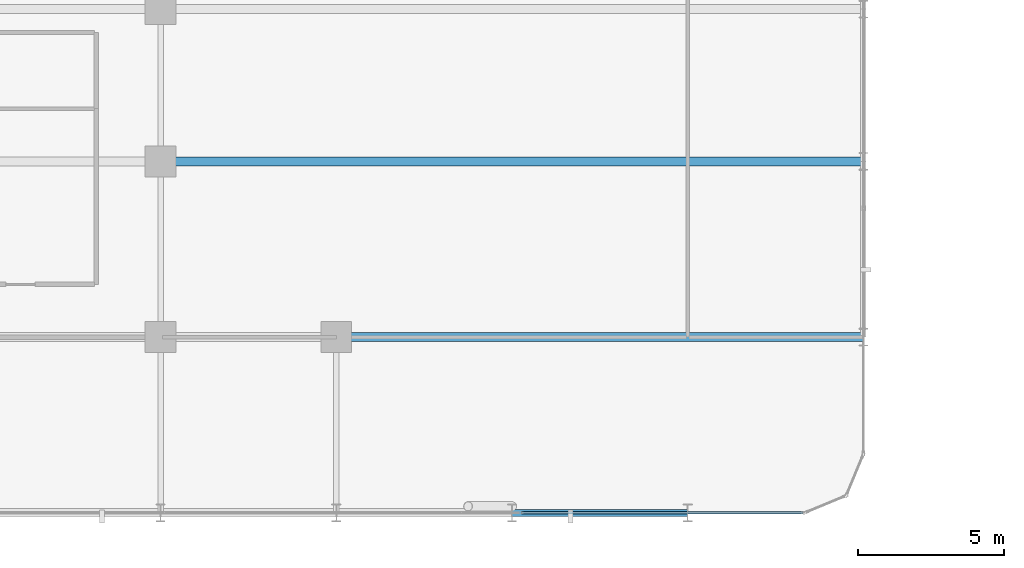
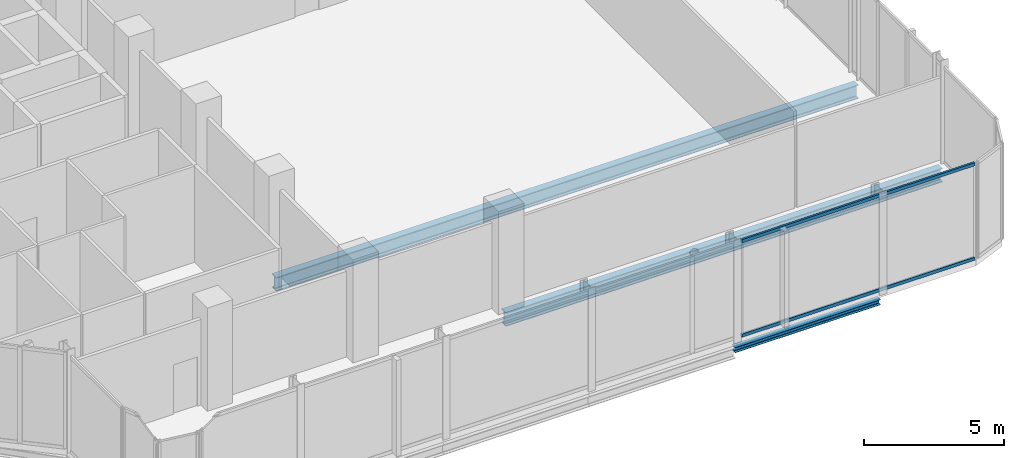
# One storey, part 9 of 31: 3 beams, 2 members, 1 element without a shape of its own.
"""IFC4 building model written with IfcOpenShell, lengths in metres."""

from ifc_helpers import new_model, si_unit, direction, frame, origin, origin_2d, place, context, subcontext, project, spatial, hollow_rectangle, i_section, extrude, material, layer, layer_set, material_profile, profile_set, type_object, element, aggregate, save


model = new_model("IFC4")

# Units and contexts
model_context = context("Model", 3, precision=1e-05, world=origin(), true_north=direction((0.0, 1.0)))
body_context = subcontext(model_context, "Body", "Model", "MODEL_VIEW")
ifc_project = project(units=[si_unit("LENGTHUNIT", "METRE"), si_unit("AREAUNIT", "SQUARE_METRE"), si_unit("VOLUMEUNIT", "CUBIC_METRE"), si_unit("PLANEANGLEUNIT", "RADIAN"), si_unit("MASSUNIT", "GRAM", prefix="KILO")], contexts=[model_context])

# Site, building, storey
site_placement = place(None, origin())
site = spatial("IfcSite", under=ifc_project, at=site_placement, CompositionType="ELEMENT")
building_placement = place(site_placement, origin())
building = spatial("IfcBuilding", under=site, at=building_placement, Name="Keshet Zoharim Tower", CompositionType="ELEMENT")
storey_placement = place(building_placement, frame((0.0, 0.0, 125.300048828125)))
storey = spatial("IfcBuildingStorey", under=building, at=storey_placement, Name="L30", CompositionType="ELEMENT", Elevation=125.300048828125)

# Beams
ifc_material_1 = material(Name="Steel S355", Category="steel")
ifc_material_profile_1 = material_profile(ifc_material_1, i_section(OverallWidth=0.300048828125, OverallDepth=0.60009765625, WebThickness=0.015380859375, FlangeThickness=0.030029296875, FilletRadius=0.027099609375, at=origin_2d()), Name="HEB600")
ifc_profile_set_1 = profile_set([ifc_material_profile_1], Name="Steel S355")
beam_type_1 = type_object("IfcBeamType", Name="BM-LNG-HB600", PredefinedType="BEAM", material=ifc_profile_set_1)
beam_1_placement = place(storey_placement, frame((39.0, 6.699951171875, -0.6201171875), z_axis=(1.0, 0.0, 0.0), x_axis=(0.0, 1.0, 0.0)))
element("IfcBeam", 1, at=beam_1_placement, inside=storey, type_object=beam_type_1, Name="L30 Primary Girder X-008", PredefinedType="BEAM", context=body_context, shape_type="SweptSolid", body=[
    extrude(i_section(OverallWidth=0.300048828125, OverallDepth=0.60009765625, WebThickness=0.015380859375, FlangeThickness=0.030029296875, FilletRadius=0.027099609375, at=origin_2d()), origin(), (0.0, 0.0, 1.0), 18.0),
])
beam_2_placement = place(storey_placement, frame((33.0, 12.699951171875, -0.6201171875), z_axis=(1.0, 0.0, 0.0), x_axis=(0.0, 1.0, 0.0)))
element("IfcBeam", 2, at=beam_2_placement, inside=storey, type_object=beam_type_1, Name="L30 Primary Girder X-010", PredefinedType="BEAM", context=body_context, shape_type="SweptSolid", body=[
    extrude(i_section(OverallWidth=0.300048828125, OverallDepth=0.60009765625, WebThickness=0.015380859375, FlangeThickness=0.030029296875, FilletRadius=0.027099609375, at=origin_2d()), origin(), (0.0, 0.0, 1.0), 24.0),
])
ifc_material_profile_2 = material_profile(ifc_material_1, i_section(OverallWidth=0.239990234375, OverallDepth=0.22998046875, WebThickness=0.007568359375, FlangeThickness=0.011962890625, FilletRadius=0.02099609375, at=origin_2d()), Name="HEA240")
ifc_profile_set_2 = profile_set([ifc_material_profile_2], Name="Steel S355")
beam_type_2 = type_object("IfcBeamType", Name="BM-LNT-HA240", PredefinedType="LINTEL", material=ifc_profile_set_2)
beam_3_placement = place(storey_placement, frame((45.0, 0.699951171875, -0.43505859375), z_axis=(1.0, 0.0, 0.0), x_axis=(0.0, 1.0, 0.0)))
element("IfcBeam", 3, at=beam_3_placement, inside=storey, type_object=beam_type_2, Name="L30 Primary Girder X-004", PredefinedType="LINTEL", context=body_context, shape_type="SweptSolid", body=[
    extrude(i_section(OverallWidth=0.239990234375, OverallDepth=0.22998046875, WebThickness=0.007568359375, FlangeThickness=0.011962890625, FilletRadius=0.02099609375, at=origin_2d()), origin(), (0.0, 0.0, 1.0), 6.0),
])

# Curtain wall, members
ifc_material_2 = material(Name="Aluminium 6063-T6", Category="aluminium")
ifc_layer = layer(ifc_material_2, 0.14990234375)
ifc_layer_set = layer_set([ifc_layer], Name="Aluminium 6063-T6")
curtain_wall_type = type_object("IfcCurtainWallType", Name="CW-SYS-04", PredefinedType="NOTDEFINED", material=ifc_layer_set)
curtain_wall_placement = place(storey_placement, origin())
curtain_wall = element("IfcCurtainWall", 4, at=curtain_wall_placement, inside=storey, type_object=curtain_wall_type, Name="L30 Unitised Curtain Wall 09", PredefinedType="NOTDEFINED")
ifc_material_profile_3 = material_profile(ifc_material_2, hollow_rectangle(XDim=0.080078125, YDim=0.139892578125, WallThickness=0.00390625, at=origin_2d()), Name="TRN-80x140")
ifc_profile_set_3 = profile_set([ifc_material_profile_3], Name="Aluminium 6063-T6")
member_type = type_object("IfcMemberType", Name="CWT-T14", PredefinedType="USERDEFINED", material=ifc_profile_set_3)
member_1_placement = place(storey_placement, frame((54.929931640625, 0.699951171875, 0.034912109375), z_axis=(-1.0, 0.0, 0.0), x_axis=(0.0, -1.0, 0.0)))
member_1 = element("IfcMember", 5, at=member_1_placement, type_object=member_type, Name="CW-04 transom 1.1", ObjectType="TRANSOM", PredefinedType="USERDEFINED", context=body_context, shape_type="SweptSolid", body=[
    extrude(hollow_rectangle(XDim=0.080078125, YDim=0.139892578125, WallThickness=0.00390625, at=origin_2d()), origin(), (0.0, 0.0, 1.0), 9.607421875),
])
member_2_placement = place(storey_placement, frame((54.929931640625, 0.699951171875, 4.14990234375), z_axis=(-1.0, 0.0, 0.0), x_axis=(0.0, -1.0, 0.0)))
member_2 = element("IfcMember", 6, at=member_2_placement, type_object=member_type, Name="CW-04 transom 1.2", ObjectType="TRANSOM", PredefinedType="USERDEFINED", context=body_context, shape_type="SweptSolid", body=[
    extrude(hollow_rectangle(XDim=0.080078125, YDim=0.139892578125, WallThickness=0.00390625, at=origin_2d()), origin(), (0.0, 0.0, 1.0), 9.607421875),
])
aggregate(curtain_wall, [member_1, member_2])

save(model, "model.ifc")
